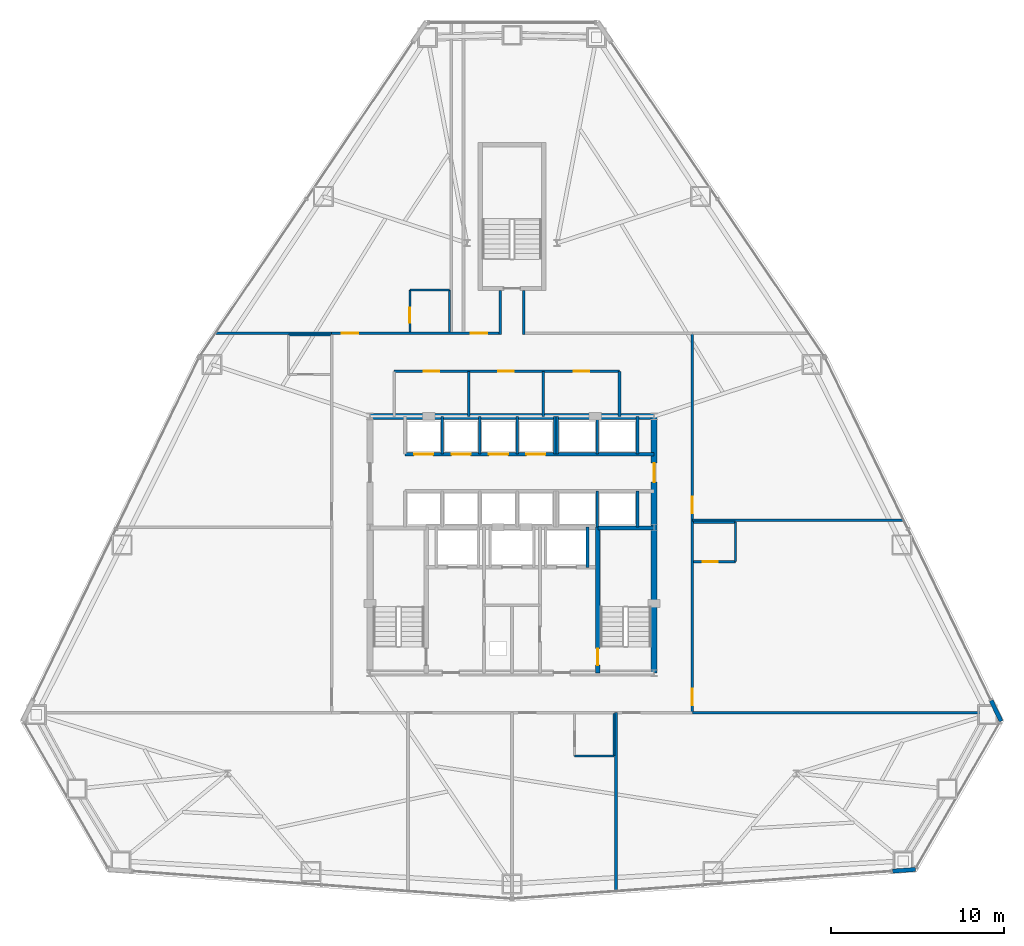
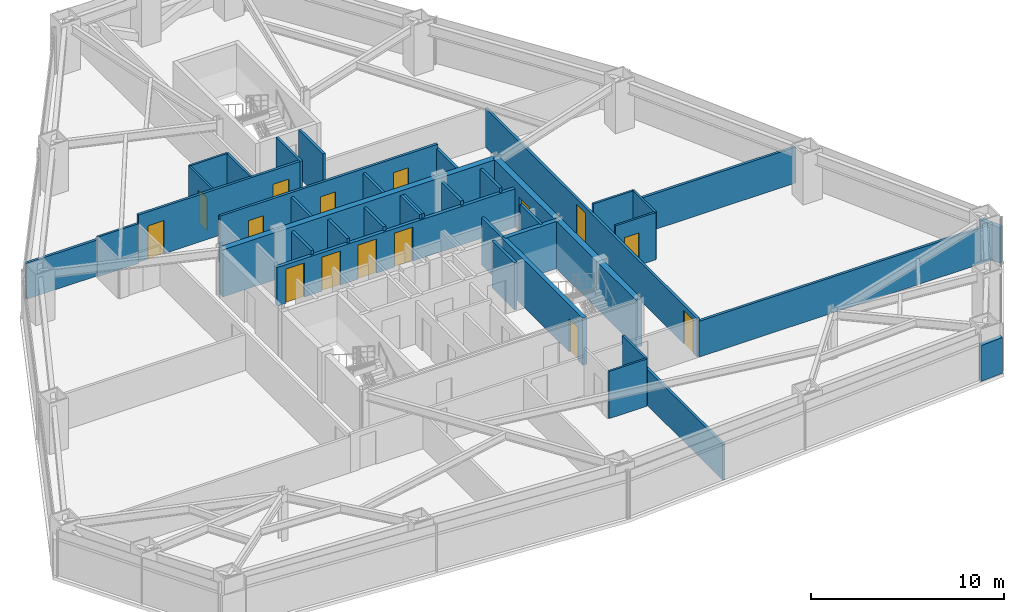
# One storey, part 10 of 12: 38 walls, 15 doors, 15 openings.
"""IFC4 building model written with IfcOpenShell, lengths in metres."""

from ifc_helpers import new_model, si_unit, direction, frame, frame_2d, origin, place, context, subcontext, project, spatial, rectangle, extrude, material, layer, layer_set, type_object, element, fill, save


model = new_model("IFC4")

# Units and contexts
model_context = context("Model", 3, precision=1e-05, world=origin(), true_north=direction((0.0, 1.0)))
body_context = subcontext(model_context, "Body", "Model", "MODEL_VIEW")
ifc_project = project(units=[si_unit("LENGTHUNIT", "METRE"), si_unit("AREAUNIT", "SQUARE_METRE"), si_unit("VOLUMEUNIT", "CUBIC_METRE"), si_unit("PLANEANGLEUNIT", "RADIAN"), si_unit("MASSUNIT", "GRAM", prefix="KILO")], contexts=[model_context])

# Site, building, storey
site_placement = place(None, origin())
site = spatial("IfcSite", under=ifc_project, at=site_placement, CompositionType="ELEMENT")
building_placement = place(site_placement, origin())
building = spatial("IfcBuilding", under=site, at=building_placement, Name="Varakhsha Concourse Tower", CompositionType="ELEMENT")
storey_placement = place(building_placement, frame((0.0, 0.0, 56.0)))
storey = spatial("IfcBuildingStorey", under=building, at=storey_placement, Name="L15", CompositionType="ELEMENT", Elevation=56.0)

# Wall
ifc_material_1 = material(Name="Concrete fc 65 MPa", Category="concrete")
ifc_layer_1 = layer(ifc_material_1, 0.35009765625, Name="WL-CORE-350")
ifc_layer_set_1 = layer_set([ifc_layer_1], Name="Concrete fc 65 MPa")
wall_type_1 = type_object("IfcWallType", Name="WL-CORE-350", PredefinedType="SHEAR", material=ifc_layer_set_1)
wall_1_placement = place(storey_placement, frame((31.800048828125, 31.199951171875, 0.0), z_axis=(0.0, 0.0, 1.0), x_axis=(1.0, 0.0, 0.0)))
element("IfcWall", 1, at=wall_1_placement, inside=storey, type_object=wall_type_1, Name="L15 Wall CWALL-N-L15", PredefinedType="SHEAR", context=body_context, shape_type="SweptSolid", body=[
    extrude(rectangle(XDim=16.39990234375, YDim=0.35009765625, at=frame_2d((8.199951171875, 0.0))), origin(), (0.0, 0.0, 1.0), 2.97998046875),
])

# Wall, opening, door
wall_2_placement = place(storey_placement, frame((48.199951171875, 16.39990234375, 0.0), z_axis=(0.0, 0.0, 1.0), x_axis=(0.0, 1.0, 0.0)))
wall_2 = element("IfcWall", 2, at=wall_2_placement, inside=storey, type_object=wall_type_1, Name="L15 Wall CWALL-E-L15", PredefinedType="SHEAR", context=body_context, shape_type="SweptSolid", body=[
    extrude(rectangle(XDim=14.800048828125, YDim=0.35009765625, at=frame_2d((7.39990234375, 0.0))), origin(), (0.0, 0.0, 1.0), 2.97998046875),
])
opening_1_placement = place(wall_2_placement, frame((11.0, 0.0, 0.0)))
opening_1 = element("IfcOpeningElement", 3, at=opening_1_placement, cuts=wall_2, Name="Opening DL-01", PredefinedType="OPENING", context=body_context, shape_type="SweptSolid", body=[
    extrude(rectangle(XDim=1.10009765625, YDim=2.14990234375, at=frame_2d((0.550048828125, 1.074951171875))), frame((0.0, 0.18505859375, 0.0), z_axis=(0.0, -1.0, 0.0), x_axis=(1.0, 0.0, 0.0)), (0.0, 0.0, 1.0), 0.3701171875),
])
ifc_material_2 = material(Name="Anodised Bronze Architectural Aluminium AA 6063-T6", Category="aluminium")
door_type_1 = type_object("IfcDoorType", Name="DR-LOB-1100", OperationType="NOTDEFINED", PredefinedType="DOOR", material=ifc_material_2)
door_1_placement = place(opening_1_placement, origin())
door_1 = element("IfcDoor", 4, at=door_1_placement, inside=storey, type_object=door_type_1, Name="L15 Lift Lobby East Concourse Door", OperationType="SINGLE_SWING_RIGHT", OverallHeight=2.14990234375, OverallWidth=1.10009765625, PredefinedType="DOOR", context=body_context, shape_type="SweptSolid", body=[
    extrude(rectangle(XDim=1.10009765625, YDim=2.14990234375, at=frame_2d((0.550048828125, 1.074951171875))), frame((0.0, 0.02490234375, 0.0), z_axis=(0.0, -1.0, 0.0), x_axis=(1.0, 0.0, 0.0)), (0.0, 0.0, 1.0), 0.050048828125),
])
fill(opening_1, door_1)

# Walls
ifc_material_3 = material(Name="Concrete fc 45 MPa", Category="concrete")
ifc_layer_2 = layer(ifc_material_3, 0.239990234375, Name="WL-EXT-CRN-240")
ifc_layer_set_2 = layer_set([ifc_layer_2], Name="Concrete fc 45 MPa")
wall_type_2 = type_object("IfcWallType", Name="WL-EXT-CRN-240", PredefinedType="SHEAR", material=ifc_layer_set_2)
wall_3_placement = place(storey_placement, frame((61.952392578125, 4.95947265625, 0.0), z_axis=(0.0, 0.0, 1.0), x_axis=(0.997376707961, 0.072385788777, 0.0)))
element("IfcWall", 5, at=wall_3_placement, inside=storey, type_object=wall_type_2, Name="L15 Wind-Corner Shoulder Wall F6", PredefinedType="SHEAR", context=body_context, shape_type="SweptSolid", body=[
    extrude(rectangle(XDim=1.325439453125, YDim=0.239990234375, at=frame_2d((0.66259765625, 0.0))), origin(), (0.0, 0.0, 1.0), 2.262939453125),
])
wall_4_placement = place(storey_placement, frame((68.21728515625, 13.614990234375, 0.0), z_axis=(0.0, 0.0, 1.0), x_axis=(-0.435989010646, 0.89995198905, 0.0)))
element("IfcWall", 6, at=wall_4_placement, inside=storey, type_object=wall_type_2, Name="L15 Wind-Corner Shoulder Wall F8", PredefinedType="SHEAR", context=body_context, shape_type="SweptSolid", body=[
    extrude(rectangle(XDim=1.32666015625, YDim=0.239990234375, at=frame_2d((0.663330078125, 0.0))), origin(), (0.0, 0.0, 1.0), 2.262939453125),
])
ifc_material_4 = material(Name="Acoustic Gypsum Board Partition Assembly", Category="gypsum")
ifc_layer_3 = layer(ifc_material_4, 0.1201171875, Name="WL-PART-120")
ifc_layer_set_3 = layer_set([ifc_layer_3], Name="Acoustic Gypsum Board Partition Assembly")
wall_type_3 = type_object("IfcWallType", Name="WL-PART-120", PredefinedType="PARTITIONING", material=ifc_layer_set_3)
wall_5_placement = place(storey_placement, frame((45.889892578125, 11.610107421875, 0.0), z_axis=(0.0, 0.0, 1.0), x_axis=(0.0, 1.0, 0.0)))
element("IfcWall", 7, at=wall_5_placement, inside=storey, type_object=wall_type_3, Name="L15 Wall ENSW-E-L15-H03", PredefinedType="PARTITIONING", context=body_context, shape_type="SweptSolid", body=[
    extrude(rectangle(XDim=2.429931640625, YDim=0.1201171875, at=frame_2d((1.21484375, 0.0))), origin(), (0.0, 0.0, 1.0), 2.97998046875),
])
wall_6_placement = place(storey_placement, frame((43.610107421875, 11.610107421875, 0.0), z_axis=(0.0, 0.0, 1.0), x_axis=(1.0, 0.0, 0.0)))
element("IfcWall", 8, at=wall_6_placement, inside=storey, type_object=wall_type_3, Name="L15 Wall ENSW-S-L15-H03", PredefinedType="PARTITIONING", context=body_context, shape_type="SweptSolid", body=[
    extrude(rectangle(XDim=2.27978515625, YDim=0.1201171875, at=frame_2d((1.139892578125, 0.0))), origin(), (0.0, 0.0, 1.0), 2.97998046875),
])
wall_7_placement = place(storey_placement, frame((27.110107421875, 35.889892578125, 0.0), z_axis=(0.0, 0.0, 1.0), x_axis=(1.0, 0.0, 0.0)))
element("IfcWall", 9, at=wall_7_placement, inside=storey, type_object=wall_type_3, Name="L15 Wall ENSW-N-L15-H06", PredefinedType="PARTITIONING", context=body_context, shape_type="SweptSolid", body=[
    extrude(rectangle(XDim=2.429931640625, YDim=0.1201171875, at=frame_2d((1.21484375, 0.0))), origin(), (0.0, 0.0, 1.0), 2.512939453125),
])
wall_8_placement = place(storey_placement, frame((52.889892578125, 22.81005859375, 0.0), z_axis=(0.0, 0.0, 1.0), x_axis=(0.0, 1.0, 0.0)))
element("IfcWall", 10, at=wall_8_placement, inside=storey, type_object=wall_type_3, Name="L15 Wall ENSW-E-L15-H07", PredefinedType="PARTITIONING", context=body_context, shape_type="SweptSolid", body=[
    extrude(rectangle(XDim=2.280029296875, YDim=0.1201171875, at=frame_2d((1.14013671875, 0.0))), origin(), (0.0, 0.0, 1.0), 2.97998046875),
])

# Wall, opening, door
wall_9_placement = place(storey_placement, frame((50.4599609375, 22.81005859375, 0.0), z_axis=(0.0, 0.0, 1.0), x_axis=(1.0, 0.0, 0.0)))
wall_9 = element("IfcWall", 11, at=wall_9_placement, inside=storey, type_object=wall_type_3, Name="L15 Wall ENSW-S-L15-H07", PredefinedType="PARTITIONING", context=body_context, shape_type="SweptSolid", body=[
    extrude(rectangle(XDim=2.429931640625, YDim=0.1201171875, at=frame_2d((1.21484375, 0.0))), origin(), (0.0, 0.0, 1.0), 2.97998046875),
])
opening_2_placement = place(wall_9_placement, frame((0.550048828125, 0.0, 0.0)))
opening_2 = element("IfcOpeningElement", 12, at=opening_2_placement, cuts=wall_9, Name="Opening DI-01", PredefinedType="OPENING", context=body_context, shape_type="SweptSolid", body=[
    extrude(rectangle(XDim=0.85009765625, YDim=2.050048828125, at=frame_2d((0.425048828125, 1.02490234375))), frame((0.0, 0.070068359375, 0.0), z_axis=(0.0, -1.0, 0.0), x_axis=(1.0, 0.0, 0.0)), (0.0, 0.0, 1.0), 0.14013671875),
])
ifc_material_5 = material(Name="Architectural Walnut Acoustic Timber Door", Category="wood")
door_type_2 = type_object("IfcDoorType", Name="DR-INT-850", OperationType="NOTDEFINED", PredefinedType="DOOR", material=ifc_material_5)
door_2_placement = place(opening_2_placement, origin())
door_2 = element("IfcDoor", 13, at=door_2_placement, inside=storey, type_object=door_type_2, Name="L15 En-suite Bathroom Door L15-H07", OperationType="SINGLE_SWING_RIGHT", OverallHeight=2.050048828125, OverallWidth=0.85009765625, PredefinedType="DOOR", context=body_context, shape_type="SweptSolid", body=[
    extrude(rectangle(XDim=0.85009765625, YDim=2.050048828125, at=frame_2d((0.425048828125, 1.02490234375))), frame((0.0, 0.02490234375, 0.0), z_axis=(0.0, -1.0, 0.0), x_axis=(1.0, 0.0, 0.0)), (0.0, 0.0, 1.0), 0.050048828125),
])
fill(opening_2, door_2)

# Wall
wall_10_placement = place(storey_placement, frame((50.4599609375, 25.090087890625, 0.0), z_axis=(0.0, 0.0, 1.0), x_axis=(1.0, 0.0, 0.0)))
element("IfcWall", 14, at=wall_10_placement, inside=storey, type_object=wall_type_3, Name="L15 Wall ENSW-N-L15-H07", PredefinedType="PARTITIONING", context=body_context, shape_type="SweptSolid", body=[
    extrude(rectangle(XDim=2.429931640625, YDim=0.1201171875, at=frame_2d((1.21484375, 0.0))), origin(), (0.0, 0.0, 1.0), 2.97998046875),
])

# Wall, opening, door
wall_11_placement = place(storey_placement, frame((34.110107421875, 36.06005859375, 0.0), z_axis=(0.0, 0.0, 1.0), x_axis=(0.0, 1.0, 0.0)))
wall_11 = element("IfcWall", 15, at=wall_11_placement, inside=storey, type_object=wall_type_3, Name="L15 Wall ENSW-W-L15-H09", PredefinedType="PARTITIONING", context=body_context, shape_type="SweptSolid", body=[
    extrude(rectangle(XDim=2.429931640625, YDim=0.1201171875, at=frame_2d((1.21484375, 0.0))), origin(), (0.0, 0.0, 1.0), 2.97998046875),
])
opening_3_placement = place(wall_11_placement, frame((0.550048828125, 0.0, 0.0)))
opening_3 = element("IfcOpeningElement", 16, at=opening_3_placement, cuts=wall_11, Name="Opening DI-01", PredefinedType="OPENING", context=body_context, shape_type="SweptSolid", body=[
    extrude(rectangle(XDim=0.85009765625, YDim=2.050048828125, at=frame_2d((0.425048828125, 1.02490234375))), frame((0.0, 0.070068359375, 0.0), z_axis=(0.0, -1.0, 0.0), x_axis=(1.0, 0.0, 0.0)), (0.0, 0.0, 1.0), 0.14013671875),
])
door_3_placement = place(opening_3_placement, origin())
door_3 = element("IfcDoor", 17, at=door_3_placement, inside=storey, type_object=door_type_2, Name="L15 En-suite Bathroom Door L15-H09", OperationType="SINGLE_SWING_RIGHT", OverallHeight=2.050048828125, OverallWidth=0.85009765625, PredefinedType="DOOR", context=body_context, shape_type="SweptSolid", body=[
    extrude(rectangle(XDim=0.85009765625, YDim=2.050048828125, at=frame_2d((0.425048828125, 1.02490234375))), frame((0.0, 0.02490234375, 0.0), z_axis=(0.0, -1.0, 0.0), x_axis=(1.0, 0.0, 0.0)), (0.0, 0.0, 1.0), 0.050048828125),
])
fill(opening_3, door_3)

# Walls
wall_12_placement = place(storey_placement, frame((36.389892578125, 36.06005859375, 0.0), z_axis=(0.0, 0.0, 1.0), x_axis=(0.0, 1.0, 0.0)))
element("IfcWall", 18, at=wall_12_placement, inside=storey, type_object=wall_type_3, Name="L15 Wall ENSW-E-L15-H09", PredefinedType="PARTITIONING", context=body_context, shape_type="SweptSolid", body=[
    extrude(rectangle(XDim=2.429931640625, YDim=0.1201171875, at=frame_2d((1.21484375, 0.0))), origin(), (0.0, 0.0, 1.0), 2.97998046875),
])
wall_13_placement = place(storey_placement, frame((34.110107421875, 38.489990234375, 0.0), z_axis=(0.0, 0.0, 1.0), x_axis=(1.0, 0.0, 0.0)))
element("IfcWall", 19, at=wall_13_placement, inside=storey, type_object=wall_type_3, Name="L15 Wall ENSW-N-L15-H09", PredefinedType="PARTITIONING", context=body_context, shape_type="SweptSolid", body=[
    extrude(rectangle(XDim=2.27978515625, YDim=0.1201171875, at=frame_2d((1.139892578125, 0.0))), origin(), (0.0, 0.0, 1.0), 2.97998046875),
])

# Wall, openings, doors
ifc_material_6 = material(Name="Fire-Rated Type X Gypsum Partition Assembly", Category="gypsum")
ifc_layer_4 = layer(ifc_material_6, 0.14990234375, Name="WL-PART-150")
ifc_layer_set_4 = layer_set([ifc_layer_4], Name="Fire-Rated Type X Gypsum Partition Assembly")
wall_type_4 = type_object("IfcWallType", Name="WL-PART-150", PredefinedType="PARTITIONING", material=ifc_layer_set_4)
wall_14_placement = place(storey_placement, frame((33.199951171875, 33.800048828125, 0.0), z_axis=(0.0, 0.0, 1.0), x_axis=(1.0, 0.0, 0.0)))
wall_14 = element("IfcWall", 20, at=wall_14_placement, inside=storey, type_object=wall_type_4, Name="L15 Wall NBOH-N-L15", PredefinedType="PARTITIONING", context=body_context, shape_type="SweptSolid", body=[
    extrude(rectangle(XDim=13.0, YDim=0.14990234375, at=frame_2d((6.5, 0.0))), origin(), (0.0, 0.0, 1.0), 2.97998046875),
])
opening_4_placement = place(wall_14_placement, frame((1.699951171875, 0.0, 0.0)))
opening_4 = element("IfcOpeningElement", 21, at=opening_4_placement, cuts=wall_14, Name="Opening DF-06", PredefinedType="OPENING", context=body_context, shape_type="SweptSolid", body=[
    extrude(rectangle(XDim=0.89990234375, YDim=2.10009765625, at=frame_2d((0.449951171875, 1.050048828125))), frame((0.0, 0.0849609375, 0.0), z_axis=(0.0, -1.0, 0.0), x_axis=(1.0, 0.0, 0.0)), (0.0, 0.0, 1.0), 0.169921875),
])
opening_5_placement = place(wall_14_placement, frame((6.0, 0.0, 0.0)))
opening_5 = element("IfcOpeningElement", 22, at=opening_5_placement, cuts=wall_14, Name="Opening DF-06", PredefinedType="OPENING", context=body_context, shape_type="SweptSolid", body=[
    extrude(rectangle(XDim=0.89990234375, YDim=2.10009765625, at=frame_2d((0.449951171875, 1.050048828125))), frame((0.0, 0.0849609375, 0.0), z_axis=(0.0, -1.0, 0.0), x_axis=(1.0, 0.0, 0.0)), (0.0, 0.0, 1.0), 0.169921875),
])
opening_6_placement = place(wall_14_placement, frame((10.35009765625, 0.0, 0.0)))
opening_6 = element("IfcOpeningElement", 23, at=opening_6_placement, cuts=wall_14, Name="Opening DF-06", PredefinedType="OPENING", context=body_context, shape_type="SweptSolid", body=[
    extrude(rectangle(XDim=0.89990234375, YDim=2.10009765625, at=frame_2d((0.449951171875, 1.050048828125))), frame((0.0, 0.0849609375, 0.0), z_axis=(0.0, -1.0, 0.0), x_axis=(1.0, 0.0, 0.0)), (0.0, 0.0, 1.0), 0.169921875),
])
ifc_material_7 = material(Name="Hollow Galvanised Steel Fire Door Assembly", Category="steel")
door_type_3 = type_object("IfcDoorType", Name="DR-FD60-900", OperationType="NOTDEFINED", PredefinedType="DOOR", material=ifc_material_7)
door_4_placement = place(opening_4_placement, origin())
door_4 = element("IfcDoor", 24, at=door_4_placement, inside=storey, type_object=door_type_3, Name="L15 Housekeeping and Linen Room Door", OperationType="SINGLE_SWING_LEFT", OverallHeight=2.10009765625, OverallWidth=0.89990234375, PredefinedType="DOOR", context=body_context, shape_type="SweptSolid", body=[
    extrude(rectangle(XDim=0.89990234375, YDim=2.10009765625, at=frame_2d((0.449951171875, 1.050048828125))), frame((0.0, 0.02490234375, 0.0), z_axis=(0.0, -1.0, 0.0), x_axis=(1.0, 0.0, 0.0)), (0.0, 0.0, 1.0), 0.050048828125),
])
fill(opening_4, door_4)
door_5_placement = place(opening_5_placement, origin())
door_5 = element("IfcDoor", 25, at=door_5_placement, inside=storey, type_object=door_type_3, Name="L15 Accessible WC Door", OperationType="SINGLE_SWING_RIGHT", OverallHeight=2.10009765625, OverallWidth=0.89990234375, PredefinedType="DOOR", context=body_context, shape_type="SweptSolid", body=[
    extrude(rectangle(XDim=0.89990234375, YDim=2.10009765625, at=frame_2d((0.449951171875, 1.050048828125))), frame((0.0, 0.02490234375, 0.0), z_axis=(0.0, -1.0, 0.0), x_axis=(1.0, 0.0, 0.0)), (0.0, 0.0, 1.0), 0.050048828125),
])
fill(opening_5, door_5)
door_6_placement = place(opening_6_placement, origin())
door_6 = element("IfcDoor", 26, at=door_6_placement, inside=storey, type_object=door_type_3, Name="L15 Staff Restroom WC Door", OperationType="SINGLE_SWING_LEFT", OverallHeight=2.10009765625, OverallWidth=0.89990234375, PredefinedType="DOOR", context=body_context, shape_type="SweptSolid", body=[
    extrude(rectangle(XDim=0.89990234375, YDim=2.10009765625, at=frame_2d((0.449951171875, 1.050048828125))), frame((0.0, 0.02490234375, 0.0), z_axis=(0.0, -1.0, 0.0), x_axis=(1.0, 0.0, 0.0)), (0.0, 0.0, 1.0), 0.050048828125),
])
fill(opening_6, door_6)

# Walls
for number, where, z_axis, x_axis, name in (
    (27, (46.199951171875, 31.199951171875, 0.0), (0.0, 0.0, 1.0), (0.0, 1.0, 0.0), "L15 Wall NBOH-E-L15"),
    (28, (37.5, 31.199951171875, 0.0), (0.0, 0.0, 1.0), (0.0, 1.0, 0.0), "L15 Wall NBOH-D1-L15"),
    (29, (41.800048828125, 31.199951171875, 0.0), (0.0, 0.0, 1.0), (0.0, 1.0, 0.0), "L15 Wall NBOH-D2-L15"),
):
    element("IfcWall", number, at=place(storey_placement, frame(where, z_axis=z_axis, x_axis=x_axis)), inside=storey, type_object=wall_type_4, Name=name, PredefinedType="PARTITIONING", context=body_context, shape_type="SweptSolid", body=[
        extrude(rectangle(XDim=2.60009765625, YDim=0.14990234375, at=frame_2d((1.300048828125, 0.0))), origin(), (0.0, 0.0, 1.0), 2.7080078125),
    ])

# Wall, openings, doors
wall_15_placement = place(storey_placement, frame((29.60009765625, 36.0, 0.0), z_axis=(0.0, 0.0, 1.0), x_axis=(1.0, 0.0, 0.0)))
wall_15 = element("IfcWall", 30, at=wall_15_placement, inside=storey, type_object=wall_type_4, Name="L15 Wall CRW-N-L15", PredefinedType="PARTITIONING", context=body_context, shape_type="SweptSolid", body=[
    extrude(rectangle(XDim=9.64990234375, YDim=0.14990234375, at=frame_2d((4.824951171875, 0.0))), origin(), (0.0, 0.0, 1.0), 2.97998046875),
])
opening_7_placement = place(wall_15_placement, frame((0.570068359375, 0.0, 0.0)))
opening_7 = element("IfcOpeningElement", 31, at=opening_7_placement, cuts=wall_15, Name="Opening DF-05", PredefinedType="OPENING", context=body_context, shape_type="SweptSolid", body=[
    extrude(rectangle(XDim=0.949951171875, YDim=2.10009765625, at=frame_2d((0.47509765625, 1.050048828125))), frame((0.0, 0.0849609375, 0.0), z_axis=(0.0, -1.0, 0.0), x_axis=(1.0, 0.0, 0.0)), (0.0, 0.0, 1.0), 0.169921875),
])
opening_8_placement = place(wall_15_placement, frame((8.02001953125, 0.0, 0.0)))
opening_8 = element("IfcOpeningElement", 32, at=opening_8_placement, cuts=wall_15, Name="Opening DF-05", PredefinedType="OPENING", context=body_context, shape_type="SweptSolid", body=[
    extrude(rectangle(XDim=0.949951171875, YDim=2.10009765625, at=frame_2d((0.47509765625, 1.050048828125))), frame((0.0, 0.0849609375, 0.0), z_axis=(0.0, -1.0, 0.0), x_axis=(1.0, 0.0, 0.0)), (0.0, 0.0, 1.0), 0.169921875),
])
door_type_4 = type_object("IfcDoorType", Name="DR-FD60-950", OperationType="NOTDEFINED", PredefinedType="DOOR", material=ifc_material_7)
door_7_placement = place(opening_7_placement, origin())
door_7 = element("IfcDoor", 33, at=door_7_placement, inside=storey, type_object=door_type_4, Name="L15 Hotel Corner Suite L15-H09 Entry Door", OperationType="SINGLE_SWING_LEFT", OverallHeight=2.10009765625, OverallWidth=0.949951171875, PredefinedType="DOOR", context=body_context, shape_type="SweptSolid", body=[
    extrude(rectangle(XDim=0.949951171875, YDim=2.10009765625, at=frame_2d((0.47509765625, 1.050048828125))), frame((0.0, 0.02490234375, 0.0), z_axis=(0.0, -1.0, 0.0), x_axis=(1.0, 0.0, 0.0)), (0.0, 0.0, 1.0), 0.050048828125),
])
fill(opening_7, door_7)
door_8_placement = place(opening_8_placement, origin())
door_8 = element("IfcDoor", 34, at=door_8_placement, inside=storey, type_object=door_type_4, Name="L15 Hospitality Conservatory Lounge L15-H10 Door", OperationType="SINGLE_SWING_RIGHT", OverallHeight=2.10009765625, OverallWidth=0.949951171875, PredefinedType="DOOR", context=body_context, shape_type="SweptSolid", body=[
    extrude(rectangle(XDim=0.949951171875, YDim=2.10009765625, at=frame_2d((0.47509765625, 1.050048828125))), frame((0.0, 0.02490234375, 0.0), z_axis=(0.0, -1.0, 0.0), x_axis=(1.0, 0.0, 0.0)), (0.0, 0.0, 1.0), 0.050048828125),
])
fill(opening_8, door_8)

wall_16_placement = place(storey_placement, frame((50.39990234375, 14.10009765625, 0.0), z_axis=(0.0, 0.0, 1.0), x_axis=(0.0, 1.0, 0.0)))
wall_16 = element("IfcWall", 35, at=wall_16_placement, inside=storey, type_object=wall_type_4, Name="L15 Wall CRW-E-L15", PredefinedType="PARTITIONING", context=body_context, shape_type="SweptSolid", body=[
    extrude(rectangle(XDim=21.89990234375, YDim=0.14990234375, at=frame_2d((10.949951171875, 0.0))), origin(), (0.0, 0.0, 1.0), 2.430908203125),
])
opening_9_placement = place(wall_16_placement, frame((0.419921875, 0.0, 0.0)))
opening_9 = element("IfcOpeningElement", 36, at=opening_9_placement, cuts=wall_16, Name="Opening DF-05", PredefinedType="OPENING", context=body_context, shape_type="SweptSolid", body=[
    extrude(rectangle(XDim=0.949951171875, YDim=2.10009765625, at=frame_2d((0.47509765625, 1.050048828125))), frame((0.0, 0.0849609375, 0.0), z_axis=(0.0, -1.0, 0.0), x_axis=(1.0, 0.0, 0.0)), (0.0, 0.0, 1.0), 0.169921875),
])
opening_10_placement = place(wall_16_placement, frame((11.52001953125, 0.0, 0.0)))
opening_10 = element("IfcOpeningElement", 37, at=opening_10_placement, cuts=wall_16, Name="Opening DF-05", PredefinedType="OPENING", context=body_context, shape_type="SweptSolid", body=[
    extrude(rectangle(XDim=0.949951171875, YDim=2.10009765625, at=frame_2d((0.47509765625, 1.050048828125))), frame((0.0, 0.0849609375, 0.0), z_axis=(0.0, -1.0, 0.0), x_axis=(1.0, 0.0, 0.0)), (0.0, 0.0, 1.0), 0.169921875),
])
door_9_placement = place(opening_9_placement, origin())
door_9 = element("IfcDoor", 38, at=door_9_placement, inside=storey, type_object=door_type_4, Name="L15 Hotel Corner Suite L15-H07 Entry Door", OperationType="SINGLE_SWING_LEFT", OverallHeight=2.10009765625, OverallWidth=0.949951171875, PredefinedType="DOOR", context=body_context, shape_type="SweptSolid", body=[
    extrude(rectangle(XDim=0.949951171875, YDim=2.10009765625, at=frame_2d((0.47509765625, 1.050048828125))), frame((0.0, 0.02490234375, 0.0), z_axis=(0.0, -1.0, 0.0), x_axis=(1.0, 0.0, 0.0)), (0.0, 0.0, 1.0), 0.050048828125),
])
fill(opening_9, door_9)
door_10_placement = place(opening_10_placement, origin())
door_10 = element("IfcDoor", 39, at=door_10_placement, inside=storey, type_object=door_type_4, Name="L15 Hospitality Conservatory Lounge L15-H08 Door", OperationType="SINGLE_SWING_RIGHT", OverallHeight=2.10009765625, OverallWidth=0.949951171875, PredefinedType="DOOR", context=body_context, shape_type="SweptSolid", body=[
    extrude(rectangle(XDim=0.949951171875, YDim=2.10009765625, at=frame_2d((0.47509765625, 1.050048828125))), frame((0.0, 0.02490234375, 0.0), z_axis=(0.0, -1.0, 0.0), x_axis=(1.0, 0.0, 0.0)), (0.0, 0.0, 1.0), 0.050048828125),
])
fill(opening_10, door_10)

# Walls
wall_17_placement = place(storey_placement, frame((46.0, 3.806396484375, 0.0), z_axis=(0.0, 0.0, 1.0), x_axis=(0.0, 1.0, 0.0)))
element("IfcWall", 40, at=wall_17_placement, inside=storey, type_object=wall_type_4, Name="L15 Wall HDIV-S3-L15", PredefinedType="PARTITIONING", context=body_context, shape_type="SweptSolid", body=[
    extrude(rectangle(XDim=10.293701171875, YDim=0.14990234375, at=frame_2d((5.14697265625, 0.0))), origin(), (0.0, 0.0, 1.0), 2.26806640625),
])
wall_18_placement = place(storey_placement, frame((22.9013671875, 36.0, 0.0), z_axis=(0.0, 0.0, 1.0), x_axis=(1.0, 0.0, 0.0)))
element("IfcWall", 41, at=wall_18_placement, inside=storey, type_object=wall_type_4, Name="L15 Wall HDIV-WBN-L15", PredefinedType="PARTITIONING", context=body_context, shape_type="SweptSolid", body=[
    extrude(rectangle(XDim=6.69873046875, YDim=0.14990234375, at=frame_2d((3.349365234375, 0.0))), origin(), (0.0, 0.0, 1.0), 2.26806640625),
])
wall_19_placement = place(storey_placement, frame((50.39990234375, 14.10009765625, 0.0), z_axis=(0.0, 0.0, 1.0), x_axis=(1.0, 0.0, 0.0)))
element("IfcWall", 42, at=wall_19_placement, inside=storey, type_object=wall_type_4, Name="L15 Wall HDIV-EB0-L15", PredefinedType="PARTITIONING", context=body_context, shape_type="SweptSolid", body=[
    extrude(rectangle(XDim=17.576904296875, YDim=0.14990234375, at=frame_2d((8.78857421875, 0.0))), origin(), (0.0, 0.0, 1.0), 2.26806640625),
])
wall_20_placement = place(storey_placement, frame((50.39990234375, 25.199951171875, 0.0), z_axis=(0.0, 0.0, 1.0), x_axis=(1.0, 0.0, 0.0)))
element("IfcWall", 43, at=wall_20_placement, inside=storey, type_object=wall_type_4, Name="L15 Wall HDIV-E1-L15", PredefinedType="PARTITIONING", context=body_context, shape_type="SweptSolid", body=[
    extrude(rectangle(XDim=12.199462890625, YDim=0.14990234375, at=frame_2d((6.099609375, 0.0))), origin(), (0.0, 0.0, 1.0), 2.26806640625),
])
for number, where, z_axis, x_axis, name in (
    (44, (39.324951171875, 35.925048828125, 0.0), (0.0, 0.0, 1.0), (0.0, 1.0, 0.0), "L15 Wall STUB-W-L15"),
    (45, (40.675048828125, 35.925048828125, 0.0), (0.0, 0.0, 1.0), (0.0, 1.0, 0.0), "L15 Wall STUB-E-L15"),
):
    element("IfcWall", number, at=place(storey_placement, frame(where, z_axis=z_axis, x_axis=x_axis)), inside=storey, type_object=wall_type_4, Name=name, PredefinedType="PARTITIONING", context=body_context, shape_type="SweptSolid", body=[
        extrude(rectangle(XDim=2.52490234375, YDim=0.14990234375, at=frame_2d((1.262451171875, 0.0))), origin(), (0.0, 0.0, 1.0), 2.97998046875),
    ])
ifc_layer_5 = layer(ifc_material_6, 0.199951171875, Name="WL-SHAFT-220")
ifc_layer_set_5 = layer_set([ifc_layer_5], Name="Fire-Rated Type X Gypsum Partition Assembly")
wall_type_5 = type_object("IfcWallType", Name="WL-SHAFT-220", PredefinedType="SOLIDWALL", material=ifc_layer_set_5)
wall_21_placement = place(storey_placement, frame((44.35009765625, 22.47998046875, 0.0), z_axis=(0.0, 0.0, 1.0), x_axis=(0.0, 1.0, 0.0)))
element("IfcWall", 46, at=wall_21_placement, inside=storey, type_object=wall_type_5, Name="L15 Wall SHW-FFL-2-E-L15", PredefinedType="SOLIDWALL", context=body_context, shape_type="SweptSolid", body=[
    extrude(rectangle(XDim=2.320068359375, YDim=0.159912109375, at=frame_2d((1.16015625, 0.0))), origin(), (0.0, 0.0, 1.0), 2.97998046875),
])

# Wall, openings, doors
wall_22_placement = place(storey_placement, frame((33.820068359375, 29.02001953125, 0.0), z_axis=(0.0, 0.0, 1.0), x_axis=(1.0, 0.0, 0.0)))
wall_22 = element("IfcWall", 47, at=wall_22_placement, inside=storey, type_object=wall_type_5, Name="L15 Wall PLW-N-L15", PredefinedType="SOLIDWALL", context=body_context, shape_type="SweptSolid", body=[
    extrude(rectangle(XDim=14.3798828125, YDim=0.199951171875, at=frame_2d((7.18994140625, 0.0))), origin(), (0.0, 0.0, 1.0), 2.430908203125),
])
opening_11_placement = place(wall_22_placement, frame((0.530029296875, 0.0, 0.0)))
opening_11 = element("IfcOpeningElement", 48, at=opening_11_placement, cuts=wall_22, Name="Opening LD-LF-P01", PredefinedType="OPENING", context=body_context, shape_type="SweptSolid", body=[
    extrude(rectangle(XDim=1.10009765625, YDim=2.14990234375, at=frame_2d((0.550048828125, 1.074951171875))), frame((0.0, 0.10986328125, 0.0), z_axis=(0.0, -1.0, 0.0), x_axis=(1.0, 0.0, 0.0)), (0.0, 0.0, 1.0), 0.219970703125),
])
opening_12_placement = place(wall_22_placement, frame((2.68994140625, 0.0, 0.0)))
opening_12 = element("IfcOpeningElement", 49, at=opening_12_placement, cuts=wall_22, Name="Opening LD-LF-P02", PredefinedType="OPENING", context=body_context, shape_type="SweptSolid", body=[
    extrude(rectangle(XDim=1.10009765625, YDim=2.14990234375, at=frame_2d((0.550048828125, 1.074951171875))), frame((0.0, 0.10986328125, 0.0), z_axis=(0.0, -1.0, 0.0), x_axis=(1.0, 0.0, 0.0)), (0.0, 0.0, 1.0), 0.219970703125),
])
opening_13_placement = place(wall_22_placement, frame((4.85009765625, 0.0, 0.0)))
opening_13 = element("IfcOpeningElement", 50, at=opening_13_placement, cuts=wall_22, Name="Opening LD-LF-P03", PredefinedType="OPENING", context=body_context, shape_type="SweptSolid", body=[
    extrude(rectangle(XDim=1.10009765625, YDim=2.14990234375, at=frame_2d((0.550048828125, 1.074951171875))), frame((0.0, 0.10986328125, 0.0), z_axis=(0.0, -1.0, 0.0), x_axis=(1.0, 0.0, 0.0)), (0.0, 0.0, 1.0), 0.219970703125),
])
opening_14_placement = place(wall_22_placement, frame((7.010009765625, 0.0, 0.0)))
opening_14 = element("IfcOpeningElement", 51, at=opening_14_placement, cuts=wall_22, Name="Opening LD-LF-P04", PredefinedType="OPENING", context=body_context, shape_type="SweptSolid", body=[
    extrude(rectangle(XDim=1.10009765625, YDim=2.14990234375, at=frame_2d((0.550048828125, 1.074951171875))), frame((0.0, 0.10986328125, 0.0), z_axis=(0.0, -1.0, 0.0), x_axis=(1.0, 0.0, 0.0)), (0.0, 0.0, 1.0), 0.219970703125),
])
ifc_material_8 = material(Name="Brushed Austenitic Stainless Steel AISI 316", Category="steel")
door_type_5 = type_object("IfcDoorType", Name="DR-LD-1100", OperationType="DOUBLE_DOOR_SLIDING", PredefinedType="DOOR", material=ifc_material_8)
door_11_placement = place(opening_11_placement, origin())
door_11 = element("IfcDoor", 52, at=door_11_placement, inside=storey, type_object=door_type_5, Name="Lift Landing Door LF-P01 L15", OperationType="DOUBLE_DOOR_SLIDING", OverallHeight=2.14990234375, OverallWidth=1.10009765625, PredefinedType="DOOR", context=body_context, shape_type="SweptSolid", body=[
    extrude(rectangle(XDim=1.10009765625, YDim=2.14990234375, at=frame_2d((0.550048828125, 1.074951171875))), frame((0.0, 0.02490234375, 0.0), z_axis=(0.0, -1.0, 0.0), x_axis=(1.0, 0.0, 0.0)), (0.0, 0.0, 1.0), 0.050048828125),
])
fill(opening_11, door_11)
door_12_placement = place(opening_12_placement, origin())
door_12 = element("IfcDoor", 53, at=door_12_placement, inside=storey, type_object=door_type_5, Name="Lift Landing Door LF-P02 L15", OperationType="DOUBLE_DOOR_SLIDING", OverallHeight=2.14990234375, OverallWidth=1.10009765625, PredefinedType="DOOR", context=body_context, shape_type="SweptSolid", body=[
    extrude(rectangle(XDim=1.10009765625, YDim=2.14990234375, at=frame_2d((0.550048828125, 1.074951171875))), frame((0.0, 0.02490234375, 0.0), z_axis=(0.0, -1.0, 0.0), x_axis=(1.0, 0.0, 0.0)), (0.0, 0.0, 1.0), 0.050048828125),
])
fill(opening_12, door_12)
door_13_placement = place(opening_13_placement, origin())
door_13 = element("IfcDoor", 54, at=door_13_placement, inside=storey, type_object=door_type_5, Name="Lift Landing Door LF-P03 L15", OperationType="DOUBLE_DOOR_SLIDING", OverallHeight=2.14990234375, OverallWidth=1.10009765625, PredefinedType="DOOR", context=body_context, shape_type="SweptSolid", body=[
    extrude(rectangle(XDim=1.10009765625, YDim=2.14990234375, at=frame_2d((0.550048828125, 1.074951171875))), frame((0.0, 0.02490234375, 0.0), z_axis=(0.0, -1.0, 0.0), x_axis=(1.0, 0.0, 0.0)), (0.0, 0.0, 1.0), 0.050048828125),
])
fill(opening_13, door_13)
door_14_placement = place(opening_14_placement, origin())
door_14 = element("IfcDoor", 55, at=door_14_placement, inside=storey, type_object=door_type_5, Name="Lift Landing Door LF-P04 L15", OperationType="DOUBLE_DOOR_SLIDING", OverallHeight=2.14990234375, OverallWidth=1.10009765625, PredefinedType="DOOR", context=body_context, shape_type="SweptSolid", body=[
    extrude(rectangle(XDim=1.10009765625, YDim=2.14990234375, at=frame_2d((0.550048828125, 1.074951171875))), frame((0.0, 0.02490234375, 0.0), z_axis=(0.0, -1.0, 0.0), x_axis=(1.0, 0.0, 0.0)), (0.0, 0.0, 1.0), 0.050048828125),
])
fill(opening_14, door_14)

# Walls
for number, where, z_axis, x_axis, name in (
    (56, (35.97998046875, 29.02001953125, 0.0), (0.0, 0.0, 1.0), (0.0, 1.0, 0.0), "L15 Wall SHW-LF-P01-E-L15"),
    (57, (38.139892578125, 29.02001953125, 0.0), (0.0, 0.0, 1.0), (0.0, 1.0, 0.0), "L15 Wall SHW-LF-P02-E-L15"),
    (58, (40.300048828125, 29.02001953125, 0.0), (0.0, 0.0, 1.0), (0.0, 1.0, 0.0), "L15 Wall SHW-LF-P03-E-L15"),
    (59, (42.4599609375, 29.02001953125, 0.0), (0.0, 0.0, 1.0), (0.0, 1.0, 0.0), "L15 Wall SHW-LF-P04-E-L15"),
    (60, (42.60009765625, 29.02001953125, 0.0), (0.0, 0.0, 1.0), (0.0, 1.0, 0.0), "L15 Wall SHW-LF-P09-W-L15"),
    (61, (44.919921875, 29.02001953125, 0.0), (0.0, 0.0, 1.0), (0.0, 1.0, 0.0), "L15 Wall SHW-LF-P09-E-L15"),
    (62, (47.239990234375, 29.02001953125, 0.0), (0.0, 0.0, 1.0), (0.0, 1.0, 0.0), "L15 Wall SHW-LF-P10-E-L15"),
):
    element("IfcWall", number, at=place(storey_placement, frame(where, z_axis=z_axis, x_axis=x_axis)), inside=storey, type_object=wall_type_5, Name=name, PredefinedType="SOLIDWALL", context=body_context, shape_type="SweptSolid", body=[
        extrude(rectangle(XDim=2.179931640625, YDim=0.159912109375, at=frame_2d((1.08984375, 0.0))), origin(), (0.0, 0.0, 1.0), 2.7080078125),
    ])
for number, where, z_axis, x_axis, name in (
    (63, (44.919921875, 24.800048828125, 0.0), (0.0, 0.0, 1.0), (0.0, 1.0, 0.0), "L15 Wall SHW-LF-P11-E-L15"),
    (64, (47.239990234375, 24.800048828125, 0.0), (0.0, 0.0, 1.0), (0.0, 1.0, 0.0), "L15 Wall SHW-LF-P12-E-L15"),
):
    element("IfcWall", number, at=place(storey_placement, frame(where, z_axis=z_axis, x_axis=x_axis)), inside=storey, type_object=wall_type_5, Name=name, PredefinedType="SOLIDWALL", context=body_context, shape_type="SweptSolid", body=[
        extrude(rectangle(XDim=2.079833984375, YDim=0.159912109375, at=frame_2d((1.0400390625, 0.0))), origin(), (0.0, 0.0, 1.0), 2.97998046875),
    ])

# Wall, opening, door
ifc_layer_6 = layer(ifc_material_3, 0.25, Name="WL-STAIR-250")
ifc_layer_set_6 = layer_set([ifc_layer_6], Name="Concrete fc 45 MPa")
wall_type_6 = type_object("IfcWallType", Name="WL-STAIR-250", PredefinedType="SHEAR", material=ifc_layer_set_6)
wall_23_placement = place(storey_placement, frame((44.955078125, 16.39990234375, 0.0), z_axis=(0.0, 0.0, 1.0), x_axis=(0.0, 1.0, 0.0)))
wall_23 = element("IfcWall", 65, at=wall_23_placement, inside=storey, type_object=wall_type_6, Name="L15 Wall SWALL-ST2-W-L15", PredefinedType="SHEAR", context=body_context, shape_type="SweptSolid", body=[
    extrude(rectangle(XDim=8.400146484375, YDim=0.25, at=frame_2d((4.2001953125, 0.0))), origin(), (0.0, 0.0, 1.0), 2.97998046875),
])
opening_15_placement = place(wall_23_placement, frame((0.449951171875, 0.0, 0.0)))
opening_15 = element("IfcOpeningElement", 66, at=opening_15_placement, cuts=wall_23, Name="Opening DF-03", PredefinedType="OPENING", context=body_context, shape_type="SweptSolid", body=[
    extrude(rectangle(XDim=0.949951171875, YDim=2.10009765625, at=frame_2d((0.47509765625, 1.050048828125))), frame((0.0, 0.135009765625, 0.0), z_axis=(0.0, -1.0, 0.0), x_axis=(1.0, 0.0, 0.0)), (0.0, 0.0, 1.0), 0.27001953125),
])
door_type_6 = type_object("IfcDoorType", Name="DR-FD90-950", OperationType="NOTDEFINED", PredefinedType="DOOR", material=ifc_material_7)
door_15_placement = place(opening_15_placement, origin())
door_15 = element("IfcDoor", 67, at=door_15_placement, inside=storey, type_object=door_type_6, Name="L15 Stair ST2 Fire Door", OperationType="SINGLE_SWING_RIGHT", OverallHeight=2.10009765625, OverallWidth=0.949951171875, PredefinedType="DOOR", context=body_context, shape_type="SweptSolid", body=[
    extrude(rectangle(XDim=0.949951171875, YDim=2.10009765625, at=frame_2d((0.47509765625, 1.050048828125))), frame((0.0, 0.02490234375, 0.0), z_axis=(0.0, -1.0, 0.0), x_axis=(1.0, 0.0, 0.0)), (0.0, 0.0, 1.0), 0.050048828125),
])
fill(opening_15, door_15)

# Wall
wall_24_placement = place(storey_placement, frame((44.955078125, 24.7548828125, 0.0), z_axis=(0.0, 0.0, 1.0), x_axis=(1.0, 0.0, 0.0)))
element("IfcWall", 68, at=wall_24_placement, inside=storey, type_object=wall_type_6, Name="L15 Wall SWALL-ST2-N-L15", PredefinedType="SHEAR", context=body_context, shape_type="SweptSolid", body=[
    extrude(rectangle(XDim=3.244873046875, YDim=0.25, at=frame_2d((1.62255859375, 0.0))), origin(), (0.0, 0.0, 1.0), 2.97998046875),
])

save(model, "model.ifc")
